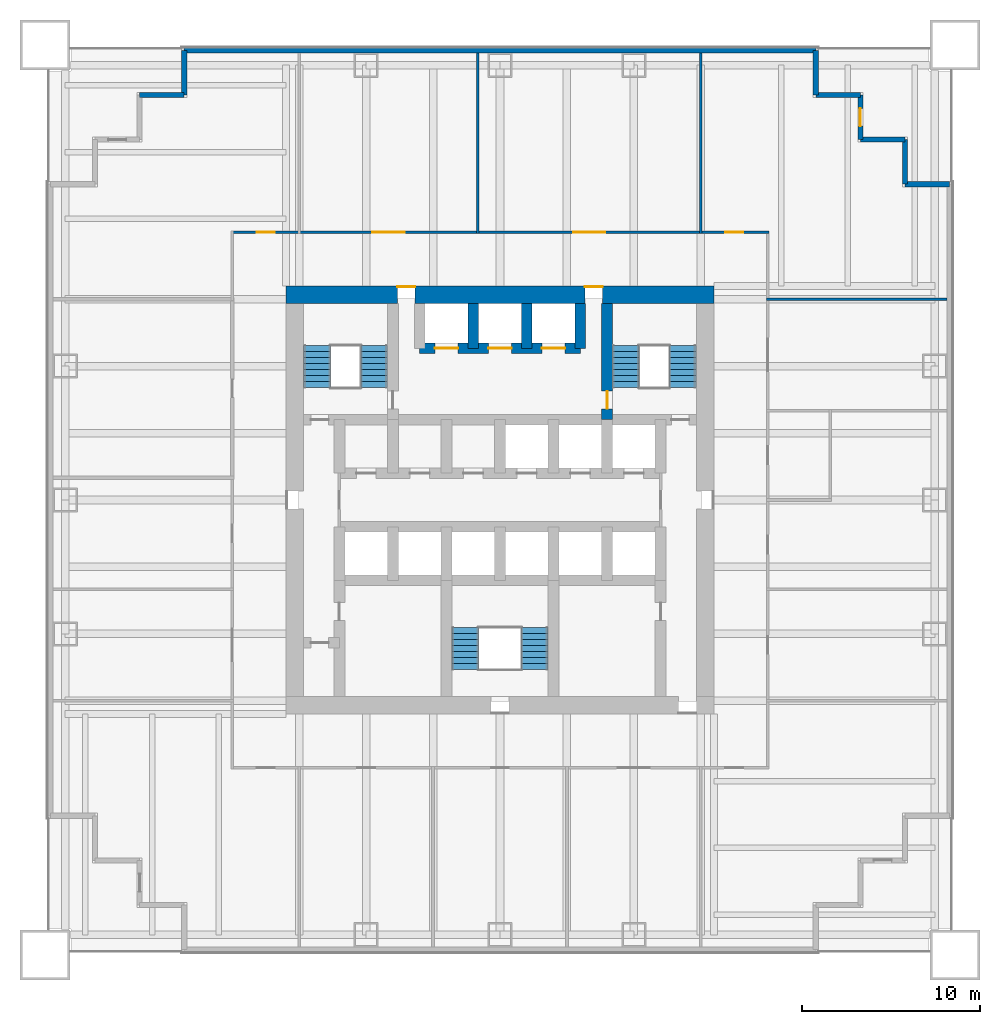
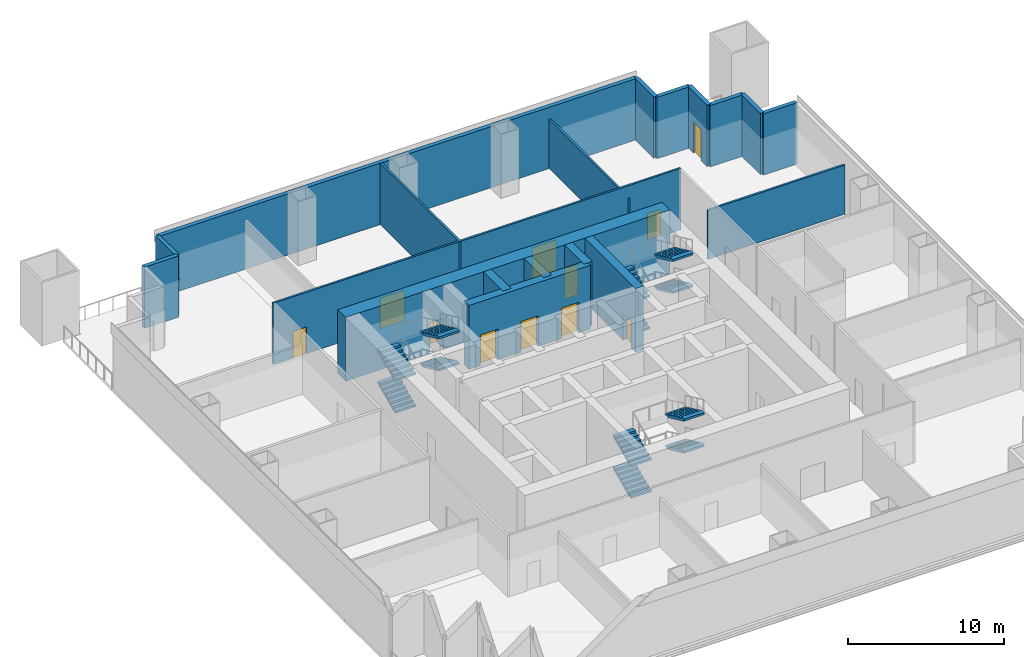
# One storey, part 4 of 6: 19 walls, 12 stair flights, 11 doors, 11 openings, 3 elements without a shape of their own.
"""IFC4 building model written with IfcOpenShell, lengths in metres."""

from ifc_helpers import new_model, si_unit, direction, frame, frame_2d, origin, place, context, subcontext, project, spatial, polyline, rectangle, outline, extrude, material, layer, layer_set, type_object, element, fill, aggregate, save


model = new_model("IFC4")

# Units and contexts
model_context = context("Model", 3, precision=1e-05, world=origin(), true_north=direction((0.0, 1.0)))
body_context = subcontext(model_context, "Body", "Model", "MODEL_VIEW")
ifc_project = project(units=[si_unit("LENGTHUNIT", "METRE"), si_unit("AREAUNIT", "SQUARE_METRE"), si_unit("VOLUMEUNIT", "CUBIC_METRE"), si_unit("PLANEANGLEUNIT", "RADIAN"), si_unit("MASSUNIT", "GRAM", prefix="KILO")], contexts=[model_context])

# Site, building, storey
site_placement = place(None, origin())
site = spatial("IfcSite", under=ifc_project, at=site_placement, CompositionType="ELEMENT")
building_placement = place(site_placement, origin())
building = spatial("IfcBuilding", under=site, at=building_placement, Name="Tarangal Relay Tower", CompositionType="ELEMENT")
storey_placement = place(building_placement, frame((0.0, 0.0, 88.39990234375)))
storey = spatial("IfcBuildingStorey", under=building, at=storey_placement, Name="L17", CompositionType="ELEMENT", Elevation=88.39990234375)

# Wall, openings, doors
ifc_material_1 = material(Name="Concrete fc' 60 MPa", Category="concrete")
ifc_layer_1 = layer(ifc_material_1, 0.60009765625)
ifc_layer_set_1 = layer_set([ifc_layer_1], Name="Core inner wall 600")
wall_type_1 = type_object("IfcWallType", Name="Core inner wall 600", PredefinedType="SHEAR", material=ifc_layer_set_1)
wall_1_placement = place(storey_placement, frame((-4.5, 8.5, 0.0), z_axis=(0.0, 0.0, 1.0), x_axis=(1.0, 0.0, 0.0)))
wall_1 = element("IfcWall", 1, at=wall_1_placement, inside=storey, type_object=wall_type_1, Name="Core wall Y85 L17", PredefinedType="SHEAR", context=body_context, shape_type="SweptSolid", body=[
    extrude(rectangle(XDim=9.0, YDim=0.60009765625, at=frame_2d((4.5, 0.0))), origin(), (0.0, 0.0, 1.0), 5.0),
])
opening_1_placement = place(wall_1_placement, frame((0.85009765625, 0.0, 0.0)))
opening_1 = element("IfcOpeningElement", 2, at=opening_1_placement, cuts=wall_1, Name="Opening LD2", PredefinedType="OPENING", context=body_context, shape_type="SweptSolid", body=[
    extrude(rectangle(XDim=1.300048828125, YDim=2.39990234375, at=frame_2d((0.64990234375, 1.199951171875))), frame((0.0, 0.31005859375, 0.0), z_axis=(0.0, -1.0, 0.0), x_axis=(1.0, 0.0, 0.0)), (0.0, 0.0, 1.0), 0.6201171875),
])
opening_2_placement = place(wall_1_placement, frame((6.85009765625, 0.0, 0.0)))
opening_2 = element("IfcOpeningElement", 3, at=opening_2_placement, cuts=wall_1, Name="Opening LD2", PredefinedType="OPENING", context=body_context, shape_type="SweptSolid", body=[
    extrude(rectangle(XDim=1.300048828125, YDim=2.39990234375, at=frame_2d((0.64990234375, 1.199951171875))), frame((0.0, 0.31005859375, 0.0), z_axis=(0.0, -1.0, 0.0), x_axis=(1.0, 0.0, 0.0)), (0.0, 0.0, 1.0), 0.6201171875),
])
opening_3_placement = place(wall_1_placement, frame((3.85009765625, 0.0, 0.0)))
opening_3 = element("IfcOpeningElement", 4, at=opening_3_placement, cuts=wall_1, Name="Opening LD2", PredefinedType="OPENING", context=body_context, shape_type="SweptSolid", body=[
    extrude(rectangle(XDim=1.300048828125, YDim=2.39990234375, at=frame_2d((0.64990234375, 1.199951171875))), frame((0.0, 0.31005859375, 0.0), z_axis=(0.0, -1.0, 0.0), x_axis=(1.0, 0.0, 0.0)), (0.0, 0.0, 1.0), 0.6201171875),
])
ifc_material_2 = material(Name="Steel door with hardwood frame", Category="steel")
door_type_1 = type_object("IfcDoorType", Name="Lift landing door 1300 x 2400", OperationType="SLIDING_TO_LEFT", PredefinedType="DOOR", material=ifc_material_2)
door_1_placement = place(opening_1_placement, origin())
door_1 = element("IfcDoor", 5, at=door_1_placement, inside=storey, type_object=door_type_1, Name="Lift FF1 landing door L17", OperationType="SLIDING_TO_LEFT", OverallHeight=2.39990234375, OverallWidth=1.300048828125, PredefinedType="DOOR", context=body_context, shape_type="SweptSolid", body=[
    extrude(rectangle(XDim=1.300048828125, YDim=2.39990234375, at=frame_2d((0.64990234375, 1.199951171875))), frame((0.0, 0.02490234375, 0.0), z_axis=(0.0, -1.0, 0.0), x_axis=(1.0, 0.0, 0.0)), (0.0, 0.0, 1.0), 0.050048828125),
])
fill(opening_1, door_1)
door_2_placement = place(opening_2_placement, origin())
door_2 = element("IfcDoor", 6, at=door_2_placement, inside=storey, type_object=door_type_1, Name="Lift FF2 landing door L17", OperationType="SLIDING_TO_LEFT", OverallHeight=2.39990234375, OverallWidth=1.300048828125, PredefinedType="DOOR", context=body_context, shape_type="SweptSolid", body=[
    extrude(rectangle(XDim=1.300048828125, YDim=2.39990234375, at=frame_2d((0.64990234375, 1.199951171875))), frame((0.0, 0.02490234375, 0.0), z_axis=(0.0, -1.0, 0.0), x_axis=(1.0, 0.0, 0.0)), (0.0, 0.0, 1.0), 0.050048828125),
])
fill(opening_2, door_2)
door_3_placement = place(opening_3_placement, origin())
door_3 = element("IfcDoor", 7, at=door_3_placement, inside=storey, type_object=door_type_1, Name="Lift SV1 landing door L17", OperationType="SLIDING_TO_LEFT", OverallHeight=2.39990234375, OverallWidth=1.300048828125, PredefinedType="DOOR", context=body_context, shape_type="SweptSolid", body=[
    extrude(rectangle(XDim=1.300048828125, YDim=2.39990234375, at=frame_2d((0.64990234375, 1.199951171875))), frame((0.0, 0.02490234375, 0.0), z_axis=(0.0, -1.0, 0.0), x_axis=(1.0, 0.0, 0.0)), (0.0, 0.0, 1.0), 0.050048828125),
])
fill(opening_3, door_3)

# Wall, opening, door
wall_2_placement = place(storey_placement, frame((6.0, 4.5, 0.0), z_axis=(0.0, 0.0, 1.0), x_axis=(0.0, 1.0, 0.0)))
wall_2 = element("IfcWall", 8, at=wall_2_placement, inside=storey, type_object=wall_type_1, Name="Core wall X6 L17", PredefinedType="SHEAR", context=body_context, shape_type="SweptSolid", body=[
    extrude(rectangle(XDim=6.5, YDim=0.60009765625, at=frame_2d((3.25, 0.0))), origin(), (0.0, 0.0, 1.0), 5.0),
])
opening_4_placement = place(wall_2_placement, frame((0.60009765625, 0.0, 0.0)))
opening_4 = element("IfcOpeningElement", 9, at=opening_4_placement, cuts=wall_2, Name="Opening FD1", PredefinedType="OPENING", context=body_context, shape_type="SweptSolid", body=[
    extrude(rectangle(XDim=1.0, YDim=2.10009765625, at=frame_2d((0.5, 1.050048828125))), frame((0.0, 0.31005859375, 0.0), z_axis=(0.0, -1.0, 0.0), x_axis=(1.0, 0.0, 0.0)), (0.0, 0.0, 1.0), 0.6201171875),
])
door_type_2 = type_object("IfcDoorType", Name="Fire door 1000 x 2100", OperationType="SINGLE_SWING_LEFT", PredefinedType="DOOR", material=ifc_material_2)
door_4_placement = place(opening_4_placement, origin())
door_4 = element("IfcDoor", 10, at=door_4_placement, inside=storey, type_object=door_type_2, Name="Stair ST-B door from fire-fighting lobby L17", OperationType="SINGLE_SWING_LEFT", OverallHeight=2.10009765625, OverallWidth=1.0, PredefinedType="DOOR", context=body_context, shape_type="SweptSolid", body=[
    extrude(rectangle(XDim=1.0, YDim=2.10009765625, at=frame_2d((0.5, 1.050048828125))), frame((0.0, 0.02490234375, 0.0), z_axis=(0.0, -1.0, 0.0), x_axis=(1.0, 0.0, 0.0)), (0.0, 0.0, 1.0), 0.050048828125),
])
fill(opening_4, door_4)

# Walls
for number, where, z_axis, x_axis, name in (
    (11, (4.5, 8.5, 0.0), (0.0, 0.0, 1.0), (0.0, 1.0, 0.0), "Core wall X45 L17"),
    (12, (-1.5, 8.5, 0.0), (0.0, 0.0, 1.0), (0.0, 1.0, 0.0), "Core wall XM15 L17"),
    (13, (1.5, 8.5, 0.0), (0.0, 0.0, 1.0), (0.0, 1.0, 0.0), "Core wall X15 L17"),
):
    element("IfcWall", number, at=place(storey_placement, frame(where, z_axis=z_axis, x_axis=x_axis)), inside=storey, type_object=wall_type_1, Name=name, PredefinedType="SHEAR", context=body_context, shape_type="SweptSolid", body=[
        extrude(rectangle(XDim=2.5, YDim=0.60009765625, at=frame_2d((1.25, 0.0))), origin(), (0.0, 0.0, 1.0), 5.0),
    ])

# Wall, openings, doors
ifc_layer_2 = layer(ifc_material_1, 1.0)
ifc_layer_set_2 = layer_set([ifc_layer_2], Name="Core wall 1000")
wall_type_2 = type_object("IfcWallType", Name="Core wall 1000", PredefinedType="SHEAR", material=ifc_layer_set_2)
wall_3_placement = place(storey_placement, frame((-12.0, 11.5, 0.0), z_axis=(0.0, 0.0, 1.0), x_axis=(1.0, 0.0, 0.0)))
wall_3 = element("IfcWall", 14, at=wall_3_placement, inside=storey, type_object=wall_type_2, Name="Core wall N L17", PredefinedType="SHEAR", context=body_context, shape_type="SweptSolid", body=[
    extrude(rectangle(XDim=24.0, YDim=1.0, at=frame_2d((12.0, 0.0))), origin(), (0.0, 0.0, 1.0), 5.0),
])
opening_5_placement = place(wall_3_placement, frame((6.25, 0.0, 0.0)))
opening_5 = element("IfcOpeningElement", 15, at=opening_5_placement, cuts=wall_3, Name="Opening FD3", PredefinedType="OPENING", context=body_context, shape_type="SweptSolid", body=[
    extrude(rectangle(XDim=1.0, YDim=2.39990234375, at=frame_2d((0.5, 1.199951171875))), frame((0.0, 0.510009765625, 0.0), z_axis=(0.0, -1.0, 0.0), x_axis=(1.0, 0.0, 0.0)), (0.0, 0.0, 1.0), 1.02001953125),
])
opening_6_placement = place(wall_3_placement, frame((16.75, 0.0, 0.0)))
opening_6 = element("IfcOpeningElement", 16, at=opening_6_placement, cuts=wall_3, Name="Opening FD3", PredefinedType="OPENING", context=body_context, shape_type="SweptSolid", body=[
    extrude(rectangle(XDim=1.0, YDim=2.39990234375, at=frame_2d((0.5, 1.199951171875))), frame((0.0, 0.510009765625, 0.0), z_axis=(0.0, -1.0, 0.0), x_axis=(1.0, 0.0, 0.0)), (0.0, 0.0, 1.0), 1.02001953125),
])
door_type_3 = type_object("IfcDoorType", Name="Fire door 1000 x 2400 core entry", OperationType="SINGLE_SWING_RIGHT", PredefinedType="DOOR", material=ifc_material_2)
door_5_placement = place(opening_5_placement, origin())
door_5 = element("IfcDoor", 17, at=door_5_placement, inside=storey, type_object=door_type_3, Name="Core entry door north west L17", OperationType="SINGLE_SWING_RIGHT", OverallHeight=2.39990234375, OverallWidth=1.0, PredefinedType="DOOR", context=body_context, shape_type="SweptSolid", body=[
    extrude(rectangle(XDim=1.0, YDim=2.39990234375, at=frame_2d((0.5, 1.199951171875))), frame((0.0, 0.48486328125, 0.0), z_axis=(0.0, -1.0, 0.0), x_axis=(1.0, 0.0, 0.0)), (0.0, 0.0, 1.0), 0.050048828125),
])
fill(opening_5, door_5)
door_6_placement = place(opening_6_placement, origin())
door_6 = element("IfcDoor", 18, at=door_6_placement, inside=storey, type_object=door_type_3, Name="Core entry door north east L17", OperationType="SINGLE_SWING_RIGHT", OverallHeight=2.39990234375, OverallWidth=1.0, PredefinedType="DOOR", context=body_context, shape_type="SweptSolid", body=[
    extrude(rectangle(XDim=1.0, YDim=2.39990234375, at=frame_2d((0.5, 1.199951171875))), frame((0.0, 0.48486328125, 0.0), z_axis=(0.0, -1.0, 0.0), x_axis=(1.0, 0.0, 0.0)), (0.0, 0.0, 1.0), 0.050048828125),
])
fill(opening_6, door_6)

# Walls
ifc_material_3 = material(Name="Insulated precast concrete fc' 40 MPa", Category="concrete")
ifc_layer_3 = layer(ifc_material_3, 0.300048828125)
ifc_layer_set_3 = layer_set([ifc_layer_3], Name="Insulated precast concrete fc' 40 MPa")
wall_type_3 = type_object("IfcWallType", Name="Facade wall precast 300", PredefinedType="SOLIDWALL", material=ifc_layer_set_3)
wall_4_placement = place(storey_placement, frame((-17.699951171875, 25.199951171875, 0.0), z_axis=(0.0, 0.0, 1.0), x_axis=(1.0, 0.0, 0.0)))
element("IfcWall", 19, at=wall_4_placement, inside=storey, type_object=wall_type_3, Name="Facade wall N facade L17", PredefinedType="SOLIDWALL", context=body_context, shape_type="SweptSolid", body=[
    extrude(rectangle(XDim=35.39990234375, YDim=0.300048828125, at=frame_2d((17.699951171875, 0.0))), origin(), (0.0, 0.0, 1.0), 4.800048828125),
])
for number, where, z_axis, x_axis, name in (
    (20, (17.699951171875, 25.199951171875, 0.0), (0.0, 0.0, 1.0), (0.0, -1.0, 0.0), "Facade wall N facade L17"),
    (21, (17.699951171875, 22.699951171875, 0.0), (0.0, 0.0, 1.0), (1.0, 0.0, 0.0), "Facade wall N facade L17"),
):
    element("IfcWall", number, at=place(storey_placement, frame(where, z_axis=z_axis, x_axis=x_axis)), inside=storey, type_object=wall_type_3, Name=name, PredefinedType="SOLIDWALL", context=body_context, shape_type="SweptSolid", body=[
        extrude(rectangle(XDim=2.5, YDim=0.300048828125, at=frame_2d((1.25, 0.0))), origin(), (0.0, 0.0, 1.0), 4.800048828125),
    ])

# Wall, opening, door
wall_5_placement = place(storey_placement, frame((20.199951171875, 22.699951171875, 0.0), z_axis=(0.0, 0.0, 1.0), x_axis=(0.0, -1.0, 0.0)))
wall_5 = element("IfcWall", 22, at=wall_5_placement, inside=storey, type_object=wall_type_3, Name="Facade wall N facade L17", PredefinedType="SOLIDWALL", context=body_context, shape_type="SweptSolid", body=[
    extrude(rectangle(XDim=2.5, YDim=0.300048828125, at=frame_2d((1.25, 0.0))), origin(), (0.0, 0.0, 1.0), 4.800048828125),
])
opening_7_placement = place(wall_5_placement, frame((0.75, 0.0, 0.0)))
opening_7 = element("IfcOpeningElement", 23, at=opening_7_placement, cuts=wall_5, Name="Opening TD1", PredefinedType="OPENING", context=body_context, shape_type="SweptSolid", body=[
    extrude(rectangle(XDim=1.0, YDim=2.39990234375, at=frame_2d((0.5, 1.199951171875))), frame((0.0, 0.159912109375, 0.0), z_axis=(0.0, -1.0, 0.0), x_axis=(1.0, 0.0, 0.0)), (0.0, 0.0, 1.0), 0.320068359375),
])
ifc_material_4 = material(Name="Aluminium glazed door", Category="aluminium")
door_type_4 = type_object("IfcDoorType", Name="Terrace door 1000 x 2400", OperationType="SINGLE_SWING_RIGHT", PredefinedType="DOOR", material=ifc_material_4)
door_7_placement = place(opening_7_placement, origin())
door_7 = element("IfcDoor", 24, at=door_7_placement, inside=storey, type_object=door_type_4, Name="Terrace door TD1 NE L17", OperationType="SINGLE_SWING_RIGHT", OverallHeight=2.39990234375, OverallWidth=1.0, PredefinedType="DOOR", context=body_context, shape_type="SweptSolid", body=[
    extrude(rectangle(XDim=1.0, YDim=2.39990234375, at=frame_2d((0.5, 1.199951171875))), frame((0.0, 0.02490234375, 0.0), z_axis=(0.0, -1.0, 0.0), x_axis=(1.0, 0.0, 0.0)), (0.0, 0.0, 1.0), 0.050048828125),
])
fill(opening_7, door_7)

# Walls
for number, where, z_axis, x_axis, name in (
    (25, (20.199951171875, 20.199951171875, 0.0), (0.0, 0.0, 1.0), (1.0, 0.0, 0.0), "Facade wall N facade L17"),
    (26, (22.699951171875, 20.199951171875, 0.0), (0.0, 0.0, 1.0), (0.0, -1.0, 0.0), "Facade wall N facade L17"),
    (27, (22.699951171875, 17.699951171875, 0.0), (0.0, 0.0, 1.0), (1.0, 0.0, 0.0), "Facade wall N facade L17"),
    (28, (-20.199951171875, 22.699951171875, 0.0), (0.0, 0.0, 1.0), (1.0, 0.0, 0.0), "Facade wall W facade L17"),
    (29, (-17.699951171875, 22.699951171875, 0.0), (0.0, 0.0, 1.0), (0.0, 1.0, 0.0), "Facade wall W facade L17"),
):
    element("IfcWall", number, at=place(storey_placement, frame(where, z_axis=z_axis, x_axis=x_axis)), inside=storey, type_object=wall_type_3, Name=name, PredefinedType="SOLIDWALL", context=body_context, shape_type="SweptSolid", body=[
        extrude(rectangle(XDim=2.5, YDim=0.300048828125, at=frame_2d((1.25, 0.0))), origin(), (0.0, 0.0, 1.0), 4.800048828125),
    ])
ifc_material_5 = material(Name="Gypsum board on steel studs", Category="steel")
ifc_layer_4 = layer(ifc_material_5, 0.14990234375)
ifc_layer_set_4 = layer_set([ifc_layer_4], Name="Partition 150")
wall_type_4 = type_object("IfcWallType", Name="Partition 150", PredefinedType="PARTITIONING", material=ifc_layer_set_4)
wall_6_placement = place(storey_placement, frame((14.925048828125, 11.25, 0.0), z_axis=(0.0, 0.0, 1.0), x_axis=(1.0, 0.0, 0.0)))
element("IfcWall", 30, at=wall_6_placement, inside=storey, type_object=wall_type_4, Name="Partition PT1 L17", PredefinedType="PARTITIONING", context=body_context, shape_type="SweptSolid", body=[
    extrude(rectangle(XDim=10.125, YDim=0.14990234375, at=frame_2d((5.0625, 0.0))), origin(), (0.0, 0.0, 1.0), 3.852783203125),
])

# Wall, openings, doors
wall_7_placement = place(storey_placement, frame((-15.074951171875, 15.0, 0.0), z_axis=(0.0, 0.0, 1.0), x_axis=(1.0, 0.0, 0.0)))
wall_7 = element("IfcWall", 31, at=wall_7_placement, inside=storey, type_object=wall_type_4, Name="Partition PT1 L17", PredefinedType="PARTITIONING", context=body_context, shape_type="SweptSolid", body=[
    extrude(rectangle(XDim=30.14990234375, YDim=0.14990234375, at=frame_2d((15.074951171875, 0.0))), origin(), (0.0, 0.0, 1.0), 4.800048828125),
])
opening_8_placement = place(wall_7_placement, frame((7.925048828125, 0.0, 0.0)))
opening_8 = element("IfcOpeningElement", 32, at=opening_8_placement, cuts=wall_7, Name="Opening DD1", PredefinedType="OPENING", context=body_context, shape_type="SweptSolid", body=[
    extrude(rectangle(XDim=1.800048828125, YDim=2.39990234375, at=frame_2d((0.89990234375, 1.199951171875))), frame((0.0, 0.0849609375, 0.0), z_axis=(0.0, -1.0, 0.0), x_axis=(1.0, 0.0, 0.0)), (0.0, 0.0, 1.0), 0.169921875),
])
opening_9_placement = place(wall_7_placement, frame((19.175048828125, 0.0, 0.0)))
opening_9 = element("IfcOpeningElement", 33, at=opening_9_placement, cuts=wall_7, Name="Opening DD1", PredefinedType="OPENING", context=body_context, shape_type="SweptSolid", body=[
    extrude(rectangle(XDim=1.800048828125, YDim=2.39990234375, at=frame_2d((0.89990234375, 1.199951171875))), frame((0.0, 0.0849609375, 0.0), z_axis=(0.0, -1.0, 0.0), x_axis=(1.0, 0.0, 0.0)), (0.0, 0.0, 1.0), 0.169921875),
])
opening_10_placement = place(wall_7_placement, frame((27.699951171875, 0.0, 0.0)))
opening_10 = element("IfcOpeningElement", 34, at=opening_10_placement, cuts=wall_7, Name="Opening D2", PredefinedType="OPENING", context=body_context, shape_type="SweptSolid", body=[
    extrude(rectangle(XDim=1.0, YDim=2.10009765625, at=frame_2d((0.5, 1.050048828125))), frame((0.0, 0.0849609375, 0.0), z_axis=(0.0, -1.0, 0.0), x_axis=(1.0, 0.0, 0.0)), (0.0, 0.0, 1.0), 0.169921875),
])
opening_11_placement = place(wall_7_placement, frame((1.449951171875, 0.0, 0.0)))
opening_11 = element("IfcOpeningElement", 35, at=opening_11_placement, cuts=wall_7, Name="Opening D2", PredefinedType="OPENING", context=body_context, shape_type="SweptSolid", body=[
    extrude(rectangle(XDim=1.0, YDim=2.10009765625, at=frame_2d((0.5, 1.050048828125))), frame((0.0, 0.0849609375, 0.0), z_axis=(0.0, -1.0, 0.0), x_axis=(1.0, 0.0, 0.0)), (0.0, 0.0, 1.0), 0.169921875),
])
ifc_material_6 = material(Name="Hardwood door", Category="wood")
door_type_5 = type_object("IfcDoorType", Name="Door 1000 x 2100", OperationType="SINGLE_SWING_LEFT", PredefinedType="DOOR", material=ifc_material_6)
door_8_placement = place(opening_10_placement, origin())
door_8 = element("IfcDoor", 36, at=door_8_placement, inside=storey, type_object=door_type_5, Name="Door D2 to rack build and test room L17-14", OperationType="SINGLE_SWING_LEFT", OverallHeight=2.10009765625, OverallWidth=1.0, PredefinedType="DOOR", context=body_context, shape_type="SweptSolid", body=[
    extrude(rectangle(XDim=1.0, YDim=2.10009765625, at=frame_2d((0.5, 1.050048828125))), frame((0.0, 0.02490234375, 0.0), z_axis=(0.0, -1.0, 0.0), x_axis=(1.0, 0.0, 0.0)), (0.0, 0.0, 1.0), 0.050048828125),
])
fill(opening_10, door_8)
door_9_placement = place(opening_11_placement, origin())
door_9 = element("IfcDoor", 37, at=door_9_placement, inside=storey, type_object=door_type_5, Name="Door D2 to maintenance workshop L17-17", OperationType="SINGLE_SWING_LEFT", OverallHeight=2.10009765625, OverallWidth=1.0, PredefinedType="DOOR", context=body_context, shape_type="SweptSolid", body=[
    extrude(rectangle(XDim=1.0, YDim=2.10009765625, at=frame_2d((0.5, 1.050048828125))), frame((0.0, 0.02490234375, 0.0), z_axis=(0.0, -1.0, 0.0), x_axis=(1.0, 0.0, 0.0)), (0.0, 0.0, 1.0), 0.050048828125),
])
fill(opening_11, door_9)
door_type_6 = type_object("IfcDoorType", Name="Equipment double door 1800 x 2400", OperationType="DOUBLE_DOOR_SINGLE_SWING", PredefinedType="DOOR", material=ifc_material_2)
door_10_placement = place(opening_8_placement, origin())
door_10 = element("IfcDoor", 38, at=door_10_placement, inside=storey, type_object=door_type_6, Name="Door DD1 to meet-me room L17-02", OperationType="DOUBLE_DOOR_SINGLE_SWING", OverallHeight=2.39990234375, OverallWidth=1.800048828125, PredefinedType="DOOR", context=body_context, shape_type="SweptSolid", body=[
    extrude(rectangle(XDim=1.800048828125, YDim=2.39990234375, at=frame_2d((0.89990234375, 1.199951171875))), frame((0.0, 0.02490234375, 0.0), z_axis=(0.0, -1.0, 0.0), x_axis=(1.0, 0.0, 0.0)), (0.0, 0.0, 1.0), 0.050048828125),
])
fill(opening_8, door_10)
door_11_placement = place(opening_9_placement, origin())
door_11 = element("IfcDoor", 39, at=door_11_placement, inside=storey, type_object=door_type_6, Name="Door DD1 to data hall L17-03", OperationType="DOUBLE_DOOR_SINGLE_SWING", OverallHeight=2.39990234375, OverallWidth=1.800048828125, PredefinedType="DOOR", context=body_context, shape_type="SweptSolid", body=[
    extrude(rectangle(XDim=1.800048828125, YDim=2.39990234375, at=frame_2d((0.89990234375, 1.199951171875))), frame((0.0, 0.02490234375, 0.0), z_axis=(0.0, -1.0, 0.0), x_axis=(1.0, 0.0, 0.0)), (0.0, 0.0, 1.0), 0.050048828125),
])
fill(opening_9, door_11)

# Walls
wall_8_placement = place(storey_placement, frame((-1.25, 14.925048828125, 0.0), z_axis=(0.0, 0.0, 1.0), x_axis=(0.0, 1.0, 0.0)))
element("IfcWall", 40, at=wall_8_placement, inside=storey, type_object=wall_type_4, Name="Partition PT1 L17", PredefinedType="PARTITIONING", context=body_context, shape_type="SweptSolid", body=[
    extrude(rectangle(XDim=10.125, YDim=0.14990234375, at=frame_2d((5.0625, 0.0))), origin(), (0.0, 0.0, 1.0), 4.800048828125),
])
wall_9_placement = place(storey_placement, frame((11.25, 14.925048828125, 0.0), z_axis=(0.0, 0.0, 1.0), x_axis=(0.0, 1.0, 0.0)))
element("IfcWall", 41, at=wall_9_placement, inside=storey, type_object=wall_type_4, Name="Partition PT1 L17", PredefinedType="PARTITIONING", context=body_context, shape_type="SweptSolid", body=[
    extrude(rectangle(XDim=10.125, YDim=0.14990234375, at=frame_2d((5.0625, 0.0))), origin(), (0.0, 0.0, 1.0), 3.852783203125),
])

# Stair, stair flights
ifc_material_7 = material(Name="Steel ASTM A992 stair flight", Category="steel")
stair_type = type_object("IfcStairType", Name="Core stair 1500", PredefinedType="HALF_TURN_STAIR", material=ifc_material_7)
stair_1_placement = place(storey_placement, origin())
stair_1 = element("IfcStair", 42, at=stair_1_placement, inside=storey, type_object=stair_type, Name="Stair ST-A L17", PredefinedType="HALF_TURN_STAIR")
stair_flight_type = type_object("IfcStairFlightType", Name="Steel stair flight 1500, 8 risers 156 x 335", PredefinedType="STRAIGHT", material=ifc_material_7)
stair_flight_1_placement = place(storey_placement, frame((-10.25, 6.300048828125, 0.0), z_axis=(0.0, 0.0, 1.0), x_axis=(0.0, 1.0, 0.0)))
stair_flight_1 = element("IfcStairFlight", 43, at=stair_flight_1_placement, type_object=stair_flight_type, Name="ST-A flight 1", NumberOfRisers=8, NumberOfTreads=7, PredefinedType="STRAIGHT", RiserHeight=0.15625, TreadLength=0.335, context=body_context, shape_type="SweptSolid", body=[
    extrude(outline(polyline([(0.0, 0.0), (0.0, 0.15625), (0.3349609375, 0.15625), (0.3349609375, 0.3125), (0.669921875, 0.3125), (0.669921875, 0.46875), (1.0048828125, 0.46875), (1.0048828125, 0.625), (1.340087890625, 0.625), (1.340087890625, 0.78125), (1.675048828125, 0.78125), (1.675048828125, 0.9375), (2.010009765625, 0.9375), (2.010009765625, 1.09375), (2.344970703125, 1.09375), (2.344970703125, 1.25), (2.344970703125, 0.92822265625), (0.354736328125, 0.0), (0.0, 0.0)])), frame((0.0, 0.75, 0.0), z_axis=(0.0, -1.0, 0.0), x_axis=(1.0, 0.0, 0.0)), (0.0, 0.0, 1.0), 1.5),
])
stair_flight_2_placement = place(storey_placement, frame((-7.050048828125, 8.64501953125, 1.25), z_axis=(0.0, 0.0, 1.0), x_axis=(0.0, -1.0, 0.0)))
stair_flight_2 = element("IfcStairFlight", 44, at=stair_flight_2_placement, type_object=stair_flight_type, Name="ST-A flight 2", NumberOfRisers=8, NumberOfTreads=7, PredefinedType="STRAIGHT", RiserHeight=0.15625, TreadLength=0.335, context=body_context, shape_type="SweptSolid", body=[
    extrude(outline(polyline([(0.0, 0.0), (0.0, 0.15625), (0.3349609375, 0.15625), (0.3349609375, 0.3125), (0.669921875, 0.3125), (0.669921875, 0.46875), (1.0048828125, 0.46875), (1.0048828125, 0.625), (1.340087890625, 0.625), (1.340087890625, 0.78125), (1.675048828125, 0.78125), (1.675048828125, 0.9375), (2.010009765625, 0.9375), (2.010009765625, 1.09375), (2.344970703125, 1.09375), (2.344970703125, 1.25), (2.344970703125, 0.92822265625), (0.354736328125, 0.0), (0.0, 0.0)])), frame((0.0, 0.75, 0.0), z_axis=(0.0, -1.0, 0.0), x_axis=(1.0, 0.0, 0.0)), (0.0, 0.0, 1.0), 1.5),
])
stair_flight_3_placement = place(storey_placement, frame((-10.25, 6.300048828125, 2.5), z_axis=(0.0, 0.0, 1.0), x_axis=(0.0, 1.0, 0.0)))
stair_flight_3 = element("IfcStairFlight", 45, at=stair_flight_3_placement, type_object=stair_flight_type, Name="ST-A flight 3", NumberOfRisers=8, NumberOfTreads=7, PredefinedType="STRAIGHT", RiserHeight=0.15625, TreadLength=0.335, context=body_context, shape_type="SweptSolid", body=[
    extrude(outline(polyline([(0.0, 0.0), (0.0, 0.15625), (0.3349609375, 0.15625), (0.3349609375, 0.3125), (0.669921875, 0.3125), (0.669921875, 0.46875), (1.0048828125, 0.46875), (1.0048828125, 0.625), (1.340087890625, 0.625), (1.340087890625, 0.78125), (1.675048828125, 0.78125), (1.675048828125, 0.9375), (2.010009765625, 0.9375), (2.010009765625, 1.09375), (2.344970703125, 1.09375), (2.344970703125, 1.25), (2.344970703125, 0.92822265625), (0.354736328125, 0.0), (0.0, 0.0)])), frame((0.0, 0.75, 0.0), z_axis=(0.0, -1.0, 0.0), x_axis=(1.0, 0.0, 0.0)), (0.0, 0.0, 1.0), 1.5),
])
stair_flight_4_placement = place(storey_placement, frame((-7.050048828125, 8.64501953125, 3.75), z_axis=(0.0, 0.0, 1.0), x_axis=(0.0, -1.0, 0.0)))
stair_flight_4 = element("IfcStairFlight", 46, at=stair_flight_4_placement, type_object=stair_flight_type, Name="ST-A flight 4", NumberOfRisers=8, NumberOfTreads=7, PredefinedType="STRAIGHT", RiserHeight=0.15625, TreadLength=0.335, context=body_context, shape_type="SweptSolid", body=[
    extrude(outline(polyline([(0.0, 0.0), (0.0, 0.15625), (0.3349609375, 0.15625), (0.3349609375, 0.3125), (0.669921875, 0.3125), (0.669921875, 0.46875), (1.0048828125, 0.46875), (1.0048828125, 0.625), (1.340087890625, 0.625), (1.340087890625, 0.78125), (1.675048828125, 0.78125), (1.675048828125, 0.9375), (2.010009765625, 0.9375), (2.010009765625, 1.09375), (2.344970703125, 1.09375), (2.344970703125, 1.25), (2.344970703125, 0.92822265625), (0.354736328125, 0.0), (0.0, 0.0)])), frame((0.0, 0.75, 0.0), z_axis=(0.0, -1.0, 0.0), x_axis=(1.0, 0.0, 0.0)), (0.0, 0.0, 1.0), 1.5),
])
aggregate(stair_1, [stair_flight_1, stair_flight_2, stair_flight_3, stair_flight_4])

stair_2_placement = place(storey_placement, origin())
stair_2 = element("IfcStair", 47, at=stair_2_placement, inside=storey, type_object=stair_type, Name="Stair ST-B L17", PredefinedType="HALF_TURN_STAIR")
stair_flight_5_placement = place(storey_placement, frame((7.050048828125, 6.300048828125, 0.0), z_axis=(0.0, 0.0, 1.0), x_axis=(0.0, 1.0, 0.0)))
stair_flight_5 = element("IfcStairFlight", 48, at=stair_flight_5_placement, type_object=stair_flight_type, Name="ST-B flight 1", NumberOfRisers=8, NumberOfTreads=7, PredefinedType="STRAIGHT", RiserHeight=0.15625, TreadLength=0.335, context=body_context, shape_type="SweptSolid", body=[
    extrude(outline(polyline([(0.0, 0.0), (0.0, 0.15625), (0.3349609375, 0.15625), (0.3349609375, 0.3125), (0.669921875, 0.3125), (0.669921875, 0.46875), (1.0048828125, 0.46875), (1.0048828125, 0.625), (1.340087890625, 0.625), (1.340087890625, 0.78125), (1.675048828125, 0.78125), (1.675048828125, 0.9375), (2.010009765625, 0.9375), (2.010009765625, 1.09375), (2.344970703125, 1.09375), (2.344970703125, 1.25), (2.344970703125, 0.92822265625), (0.354736328125, 0.0), (0.0, 0.0)])), frame((0.0, 0.75, 0.0), z_axis=(0.0, -1.0, 0.0), x_axis=(1.0, 0.0, 0.0)), (0.0, 0.0, 1.0), 1.5),
])
stair_flight_6_placement = place(storey_placement, frame((10.25, 8.64501953125, 1.25), z_axis=(0.0, 0.0, 1.0), x_axis=(0.0, -1.0, 0.0)))
stair_flight_6 = element("IfcStairFlight", 49, at=stair_flight_6_placement, type_object=stair_flight_type, Name="ST-B flight 2", NumberOfRisers=8, NumberOfTreads=7, PredefinedType="STRAIGHT", RiserHeight=0.15625, TreadLength=0.335, context=body_context, shape_type="SweptSolid", body=[
    extrude(outline(polyline([(0.0, 0.0), (0.0, 0.15625), (0.3349609375, 0.15625), (0.3349609375, 0.3125), (0.669921875, 0.3125), (0.669921875, 0.46875), (1.0048828125, 0.46875), (1.0048828125, 0.625), (1.340087890625, 0.625), (1.340087890625, 0.78125), (1.675048828125, 0.78125), (1.675048828125, 0.9375), (2.010009765625, 0.9375), (2.010009765625, 1.09375), (2.344970703125, 1.09375), (2.344970703125, 1.25), (2.344970703125, 0.92822265625), (0.354736328125, 0.0), (0.0, 0.0)])), frame((0.0, 0.75, 0.0), z_axis=(0.0, -1.0, 0.0), x_axis=(1.0, 0.0, 0.0)), (0.0, 0.0, 1.0), 1.5),
])
stair_flight_7_placement = place(storey_placement, frame((7.050048828125, 6.300048828125, 2.5), z_axis=(0.0, 0.0, 1.0), x_axis=(0.0, 1.0, 0.0)))
stair_flight_7 = element("IfcStairFlight", 50, at=stair_flight_7_placement, type_object=stair_flight_type, Name="ST-B flight 3", NumberOfRisers=8, NumberOfTreads=7, PredefinedType="STRAIGHT", RiserHeight=0.15625, TreadLength=0.335, context=body_context, shape_type="SweptSolid", body=[
    extrude(outline(polyline([(0.0, 0.0), (0.0, 0.15625), (0.3349609375, 0.15625), (0.3349609375, 0.3125), (0.669921875, 0.3125), (0.669921875, 0.46875), (1.0048828125, 0.46875), (1.0048828125, 0.625), (1.340087890625, 0.625), (1.340087890625, 0.78125), (1.675048828125, 0.78125), (1.675048828125, 0.9375), (2.010009765625, 0.9375), (2.010009765625, 1.09375), (2.344970703125, 1.09375), (2.344970703125, 1.25), (2.344970703125, 0.92822265625), (0.354736328125, 0.0), (0.0, 0.0)])), frame((0.0, 0.75, 0.0), z_axis=(0.0, -1.0, 0.0), x_axis=(1.0, 0.0, 0.0)), (0.0, 0.0, 1.0), 1.5),
])
stair_flight_8_placement = place(storey_placement, frame((10.25, 8.64501953125, 3.75), z_axis=(0.0, 0.0, 1.0), x_axis=(0.0, -1.0, 0.0)))
stair_flight_8 = element("IfcStairFlight", 51, at=stair_flight_8_placement, type_object=stair_flight_type, Name="ST-B flight 4", NumberOfRisers=8, NumberOfTreads=7, PredefinedType="STRAIGHT", RiserHeight=0.15625, TreadLength=0.335, context=body_context, shape_type="SweptSolid", body=[
    extrude(outline(polyline([(0.0, 0.0), (0.0, 0.15625), (0.3349609375, 0.15625), (0.3349609375, 0.3125), (0.669921875, 0.3125), (0.669921875, 0.46875), (1.0048828125, 0.46875), (1.0048828125, 0.625), (1.340087890625, 0.625), (1.340087890625, 0.78125), (1.675048828125, 0.78125), (1.675048828125, 0.9375), (2.010009765625, 0.9375), (2.010009765625, 1.09375), (2.344970703125, 1.09375), (2.344970703125, 1.25), (2.344970703125, 0.92822265625), (0.354736328125, 0.0), (0.0, 0.0)])), frame((0.0, 0.75, 0.0), z_axis=(0.0, -1.0, 0.0), x_axis=(1.0, 0.0, 0.0)), (0.0, 0.0, 1.0), 1.5),
])
aggregate(stair_2, [stair_flight_5, stair_flight_6, stair_flight_7, stair_flight_8])

stair_3_placement = place(storey_placement, origin())
stair_3 = element("IfcStair", 52, at=stair_3_placement, inside=storey, type_object=stair_type, Name="Stair ST-C L17", PredefinedType="HALF_TURN_STAIR")
stair_flight_9_placement = place(storey_placement, frame((-1.949951171875, -9.5, 0.0), z_axis=(0.0, 0.0, 1.0), x_axis=(0.0, 1.0, 0.0)))
stair_flight_9 = element("IfcStairFlight", 53, at=stair_flight_9_placement, type_object=stair_flight_type, Name="ST-C flight 1", NumberOfRisers=8, NumberOfTreads=7, PredefinedType="STRAIGHT", RiserHeight=0.15625, TreadLength=0.335, context=body_context, shape_type="SweptSolid", body=[
    extrude(outline(polyline([(0.0, 0.0), (0.0, 0.15625), (0.3349609375, 0.15625), (0.3349609375, 0.3125), (0.669921875, 0.3125), (0.669921875, 0.46875), (1.0048828125, 0.46875), (1.0048828125, 0.625), (1.340087890625, 0.625), (1.340087890625, 0.78125), (1.675048828125, 0.78125), (1.675048828125, 0.9375), (2.010009765625, 0.9375), (2.010009765625, 1.09375), (2.344970703125, 1.09375), (2.344970703125, 1.25), (2.344970703125, 0.92822265625), (0.354736328125, 0.0), (0.0, 0.0)])), frame((0.0, 0.75, 0.0), z_axis=(0.0, -1.0, 0.0), x_axis=(1.0, 0.0, 0.0)), (0.0, 0.0, 1.0), 1.5),
])
stair_flight_10_placement = place(storey_placement, frame((1.949951171875, -7.155029296875, 1.25), z_axis=(0.0, 0.0, 1.0), x_axis=(0.0, -1.0, 0.0)))
stair_flight_10 = element("IfcStairFlight", 54, at=stair_flight_10_placement, type_object=stair_flight_type, Name="ST-C flight 2", NumberOfRisers=8, NumberOfTreads=7, PredefinedType="STRAIGHT", RiserHeight=0.15625, TreadLength=0.335, context=body_context, shape_type="SweptSolid", body=[
    extrude(outline(polyline([(0.0, 0.0), (0.0, 0.15625), (0.3349609375, 0.15625), (0.3349609375, 0.3125), (0.669921875, 0.3125), (0.669921875, 0.46875), (1.0048828125, 0.46875), (1.0048828125, 0.625), (1.340087890625, 0.625), (1.340087890625, 0.78125), (1.675048828125, 0.78125), (1.675048828125, 0.9375), (2.010009765625, 0.9375), (2.010009765625, 1.09375), (2.344970703125, 1.09375), (2.344970703125, 1.25), (2.344970703125, 0.92822265625), (0.354736328125, 0.0), (0.0, 0.0)])), frame((0.0, 0.75, 0.0), z_axis=(0.0, -1.0, 0.0), x_axis=(1.0, 0.0, 0.0)), (0.0, 0.0, 1.0), 1.5),
])
stair_flight_11_placement = place(storey_placement, frame((-1.949951171875, -9.5, 2.5), z_axis=(0.0, 0.0, 1.0), x_axis=(0.0, 1.0, 0.0)))
stair_flight_11 = element("IfcStairFlight", 55, at=stair_flight_11_placement, type_object=stair_flight_type, Name="ST-C flight 3", NumberOfRisers=8, NumberOfTreads=7, PredefinedType="STRAIGHT", RiserHeight=0.15625, TreadLength=0.335, context=body_context, shape_type="SweptSolid", body=[
    extrude(outline(polyline([(0.0, 0.0), (0.0, 0.15625), (0.3349609375, 0.15625), (0.3349609375, 0.3125), (0.669921875, 0.3125), (0.669921875, 0.46875), (1.0048828125, 0.46875), (1.0048828125, 0.625), (1.340087890625, 0.625), (1.340087890625, 0.78125), (1.675048828125, 0.78125), (1.675048828125, 0.9375), (2.010009765625, 0.9375), (2.010009765625, 1.09375), (2.344970703125, 1.09375), (2.344970703125, 1.25), (2.344970703125, 0.92822265625), (0.354736328125, 0.0), (0.0, 0.0)])), frame((0.0, 0.75, 0.0), z_axis=(0.0, -1.0, 0.0), x_axis=(1.0, 0.0, 0.0)), (0.0, 0.0, 1.0), 1.5),
])
stair_flight_12_placement = place(storey_placement, frame((1.949951171875, -7.155029296875, 3.75), z_axis=(0.0, 0.0, 1.0), x_axis=(0.0, -1.0, 0.0)))
stair_flight_12 = element("IfcStairFlight", 56, at=stair_flight_12_placement, type_object=stair_flight_type, Name="ST-C flight 4", NumberOfRisers=8, NumberOfTreads=7, PredefinedType="STRAIGHT", RiserHeight=0.15625, TreadLength=0.335, context=body_context, shape_type="SweptSolid", body=[
    extrude(outline(polyline([(0.0, 0.0), (0.0, 0.15625), (0.3349609375, 0.15625), (0.3349609375, 0.3125), (0.669921875, 0.3125), (0.669921875, 0.46875), (1.0048828125, 0.46875), (1.0048828125, 0.625), (1.340087890625, 0.625), (1.340087890625, 0.78125), (1.675048828125, 0.78125), (1.675048828125, 0.9375), (2.010009765625, 0.9375), (2.010009765625, 1.09375), (2.344970703125, 1.09375), (2.344970703125, 1.25), (2.344970703125, 0.92822265625), (0.354736328125, 0.0), (0.0, 0.0)])), frame((0.0, 0.75, 0.0), z_axis=(0.0, -1.0, 0.0), x_axis=(1.0, 0.0, 0.0)), (0.0, 0.0, 1.0), 1.5),
])
aggregate(stair_3, [stair_flight_9, stair_flight_10, stair_flight_11, stair_flight_12])

save(model, "model.ifc")
